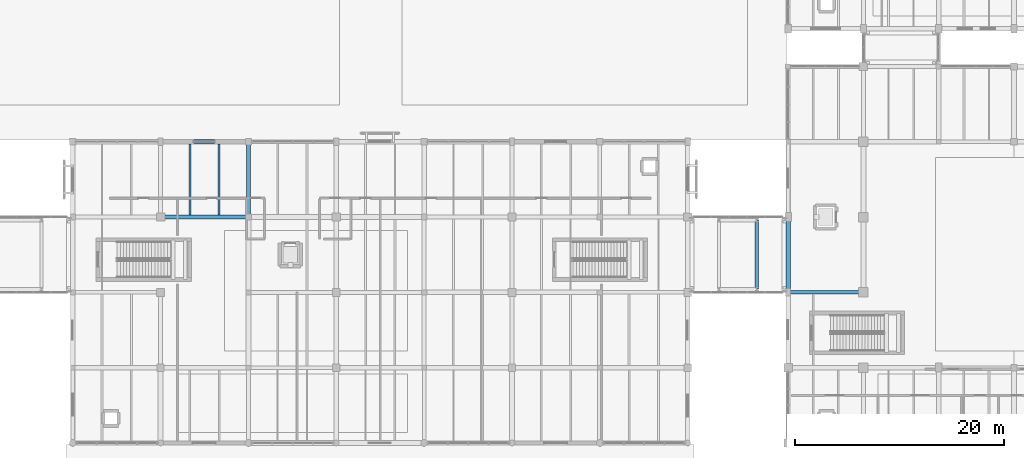
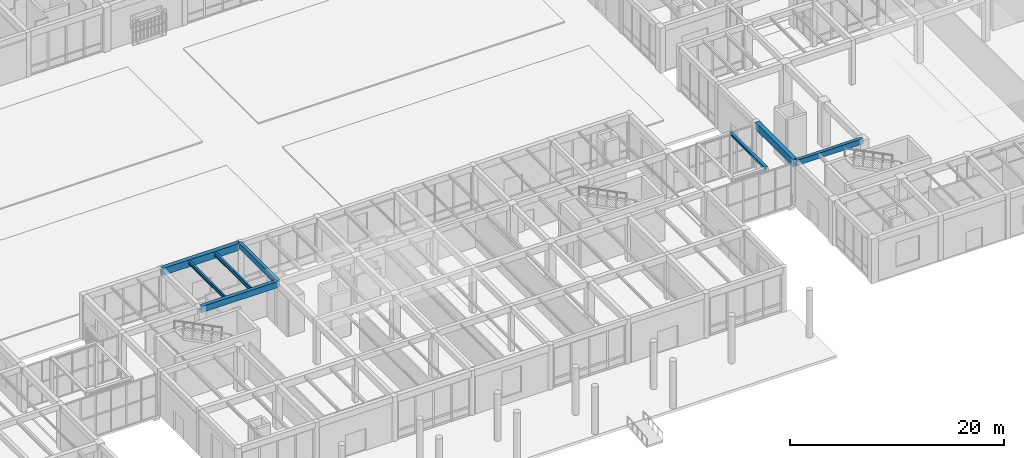
# One storey, part 48 of 169: 8 beams.
"""IFC4 building model written with IfcOpenShell, lengths in metres."""

from ifc_helpers import new_model, si_unit, direction, frame, origin, origin_2d, place, context, subcontext, project, spatial, rectangle, i_section, extrude, material, material_profile, profile_set, type_object, element, save


model = new_model("IFC4")

# Units and contexts
model_context = context("Model", 3, precision=1e-05, world=origin(), true_north=direction((0.0, 1.0)))
body_context = subcontext(model_context, "Body", "Model", "MODEL_VIEW")
ifc_project = project(units=[si_unit("LENGTHUNIT", "METRE"), si_unit("AREAUNIT", "SQUARE_METRE"), si_unit("VOLUMEUNIT", "CUBIC_METRE"), si_unit("PLANEANGLEUNIT", "RADIAN"), si_unit("MASSUNIT", "GRAM", prefix="KILO")], contexts=[model_context])

# Site, building, storey
site_placement = place(None, origin())
site = spatial("IfcSite", under=ifc_project, at=site_placement, CompositionType="ELEMENT")
building_placement = place(site_placement, origin())
building = spatial("IfcBuilding", under=site, at=building_placement, Name="Mazaris Harbour Polytechnic", CompositionType="ELEMENT")
storey_placement = place(building_placement, origin())
storey = spatial("IfcBuildingStorey", under=building, at=storey_placement, Name="L00", CompositionType="ELEMENT", Elevation=0.0)

# Beams
ifc_material_1 = material(Name="Concrete C35/45", Category="concrete")
ifc_material_profile_1 = material_profile(ifc_material_1, rectangle(XDim=0.35009765625, YDim=0.60009765625, at=origin_2d()), Name="RECT350x600")
ifc_profile_set_1 = profile_set([ifc_material_profile_1], Name="Concrete C35/45")
beam_type_1 = type_object("IfcBeamType", Name="RC Girder 350x600", PredefinedType="BEAM", material=ifc_profile_set_1)
beam_1_placement = place(storey_placement, frame((122.39990234375, 21.60009765625, 4.800048828125), z_axis=(1.0, 0.0, 0.0), x_axis=(0.0, 1.0, 0.0)))
element("IfcBeam", 1, at=beam_1_placement, inside=storey, type_object=beam_type_1, Name="V2 L00 Girder 435", PredefinedType="BEAM", context=body_context, shape_type="SweptSolid", body=[
    extrude(rectangle(XDim=0.35009765625, YDim=0.60009765625, at=origin_2d()), origin(), (0.0, 0.0, 1.0), 7.2001953125),
])
beam_2_placement = place(storey_placement, frame((70.800048828125, 28.800048828125, 4.800048828125), z_axis=(0.0, 1.0, 0.0), x_axis=(-1.0, 0.0, 0.0)))
element("IfcBeam", 2, at=beam_2_placement, inside=storey, type_object=beam_type_1, Name="V3 L00 Tie Girder 900", PredefinedType="BEAM", context=body_context, shape_type="SweptSolid", body=[
    extrude(rectangle(XDim=0.35009765625, YDim=0.60009765625, at=origin_2d()), origin(), (0.0, 0.0, 1.0), 7.199951171875),
])
ifc_material_2 = material(Name="Concrete C35/45", Category="concrete")
ifc_material_profile_2 = material_profile(ifc_material_2, rectangle(XDim=0.39990234375, YDim=0.699951171875, at=origin_2d()), Name="RECT400x700")
ifc_profile_set_2 = profile_set([ifc_material_profile_2], Name="Concrete C35/45")
beam_type_2 = type_object("IfcBeamType", Name="RC Girder 400x700", PredefinedType="BEAM", material=ifc_profile_set_2)
beam_3_placement = place(storey_placement, frame((62.39990234375, 28.800048828125, 4.75), z_axis=(1.0, 0.0, 0.0), x_axis=(0.0, 1.0, 0.0)))
element("IfcBeam", 3, at=beam_3_placement, inside=storey, type_object=beam_type_2, Name="V3 L00 Girder 877", PredefinedType="BEAM", context=body_context, shape_type="SweptSolid", body=[
    extrude(rectangle(XDim=0.39990234375, YDim=0.699951171875, at=origin_2d()), origin(), (0.0, 0.0, 1.0), 8.400146484375),
])
ifc_material_3 = material(Name="Concrete C40/50", Category="concrete")
ifc_material_profile_3 = material_profile(ifc_material_3, rectangle(XDim=0.449951171875, YDim=0.800048828125, at=origin_2d()), Name="RECT450x800")
ifc_profile_set_3 = profile_set([ifc_material_profile_3], Name="Concrete C40/50")
beam_type_3 = type_object("IfcBeamType", Name="RC Girder 450x800 Exterior", PredefinedType="BEAM", material=ifc_profile_set_3)
beam_4_placement = place(storey_placement, frame((122.39990234375, 21.60009765625, 4.699951171875), z_axis=(0.0, 1.0, 0.0), x_axis=(-1.0, 0.0, 0.0)))
element("IfcBeam", 4, at=beam_4_placement, inside=storey, type_object=beam_type_3, Name="V2 L00 Tie Girder 454", PredefinedType="BEAM", context=body_context, shape_type="SweptSolid", body=[
    extrude(rectangle(XDim=0.449951171875, YDim=0.800048828125, at=origin_2d()), origin(), (0.0, 0.0, 1.0), 7.199951171875),
])
beam_5_placement = place(storey_placement, frame((62.39990234375, 36.0, 4.699951171875), z_axis=(1.0, 0.0, 0.0), x_axis=(0.0, 1.0, 0.0)))
element("IfcBeam", 5, at=beam_5_placement, inside=storey, type_object=beam_type_3, Name="V3 L00 Girder 884", PredefinedType="BEAM", context=body_context, shape_type="SweptSolid", body=[
    extrude(rectangle(XDim=0.449951171875, YDim=0.800048828125, at=origin_2d()), origin(), (0.0, 0.0, 1.0), 8.400146484375),
])
ifc_material_4 = material(Name="Steel S355", Category="steel")
ifc_material_profile_4 = material_profile(ifc_material_4, i_section(OverallWidth=0.300048828125, OverallDepth=0.2900390625, WebThickness=0.008544921875, FlangeThickness=0.013916015625, FilletRadius=0.027099609375, at=origin_2d()), Name="HEA 300")
ifc_profile_set_4 = profile_set([ifc_material_profile_4], Name="Steel S355")
beam_type_4 = type_object("IfcBeamType", Name="Steel Beam HEA300 Exterior", PredefinedType="SPANDREL", material=ifc_profile_set_4)
beam_6_placement = place(storey_placement, frame((119.39990234375, 21.89990234375, 4.989990234375), z_axis=(0.0, 1.0, 0.0), x_axis=(-1.0, 0.0, 0.0)))
element("IfcBeam", 6, at=beam_6_placement, inside=storey, type_object=beam_type_4, Name="PB-E1 L00 Bridge Beam 3441", PredefinedType="SPANDREL", context=body_context, shape_type="SweptSolid", body=[
    extrude(i_section(OverallWidth=0.300048828125, OverallDepth=0.2900390625, WebThickness=0.008544921875, FlangeThickness=0.013916015625, FilletRadius=0.027099609375, at=origin_2d()), origin(), (0.0, 0.0, 1.0), 6.60009765625),
])
ifc_material_5 = material(Name="Steel S355", Category="steel")
ifc_material_profile_5 = material_profile(ifc_material_5, i_section(OverallWidth=0.179931640625, OverallDepth=0.39990234375, WebThickness=0.008544921875, FlangeThickness=0.013427734375, FilletRadius=0.02099609375, at=origin_2d()), Name="IPE 400")
ifc_profile_set_5 = profile_set([ifc_material_profile_5], Name="Steel S355")
beam_type_5 = type_object("IfcBeamType", Name="Steel Joist IPE400", PredefinedType="JOIST", material=ifc_profile_set_5)
beam_7_placement = place(storey_placement, frame((65.199951171875, 29.0, 4.89990234375), z_axis=(0.0, 1.0, 0.0), x_axis=(-1.0, 0.0, 0.0)))
element("IfcBeam", 7, at=beam_7_placement, inside=storey, type_object=beam_type_5, Name="V3 L00 Floor Joist 929", PredefinedType="JOIST", context=body_context, shape_type="SweptSolid", body=[
    extrude(i_section(OverallWidth=0.179931640625, OverallDepth=0.39990234375, WebThickness=0.008544921875, FlangeThickness=0.013427734375, FilletRadius=0.02099609375, at=origin_2d()), origin(), (0.0, 0.0, 1.0), 6.77490234375),
])
ifc_material_6 = material(Name="Steel S355", Category="steel")
ifc_material_profile_6 = material_profile(ifc_material_6, i_section(OverallWidth=0.18994140625, OverallDepth=0.449951171875, WebThickness=0.009521484375, FlangeThickness=0.0146484375, FilletRadius=0.02099609375, at=origin_2d()), Name="IPE 450")
ifc_profile_set_6 = profile_set([ifc_material_profile_6], Name="Steel S355")
beam_type_6 = type_object("IfcBeamType", Name="Steel Joist IPE450", PredefinedType="JOIST", material=ifc_profile_set_6)
beam_8_placement = place(storey_placement, frame((68.0, 29.0, 4.875), z_axis=(0.0, 1.0, 0.0), x_axis=(-1.0, 0.0, 0.0)))
element("IfcBeam", 8, at=beam_8_placement, inside=storey, type_object=beam_type_6, Name="V3 L00 Floor Joist 930", PredefinedType="JOIST", context=body_context, shape_type="SweptSolid", body=[
    extrude(i_section(OverallWidth=0.18994140625, OverallDepth=0.449951171875, WebThickness=0.009521484375, FlangeThickness=0.0146484375, FilletRadius=0.02099609375, at=origin_2d()), origin(), (0.0, 0.0, 1.0), 6.77490234375),
])

save(model, "model.ifc")
